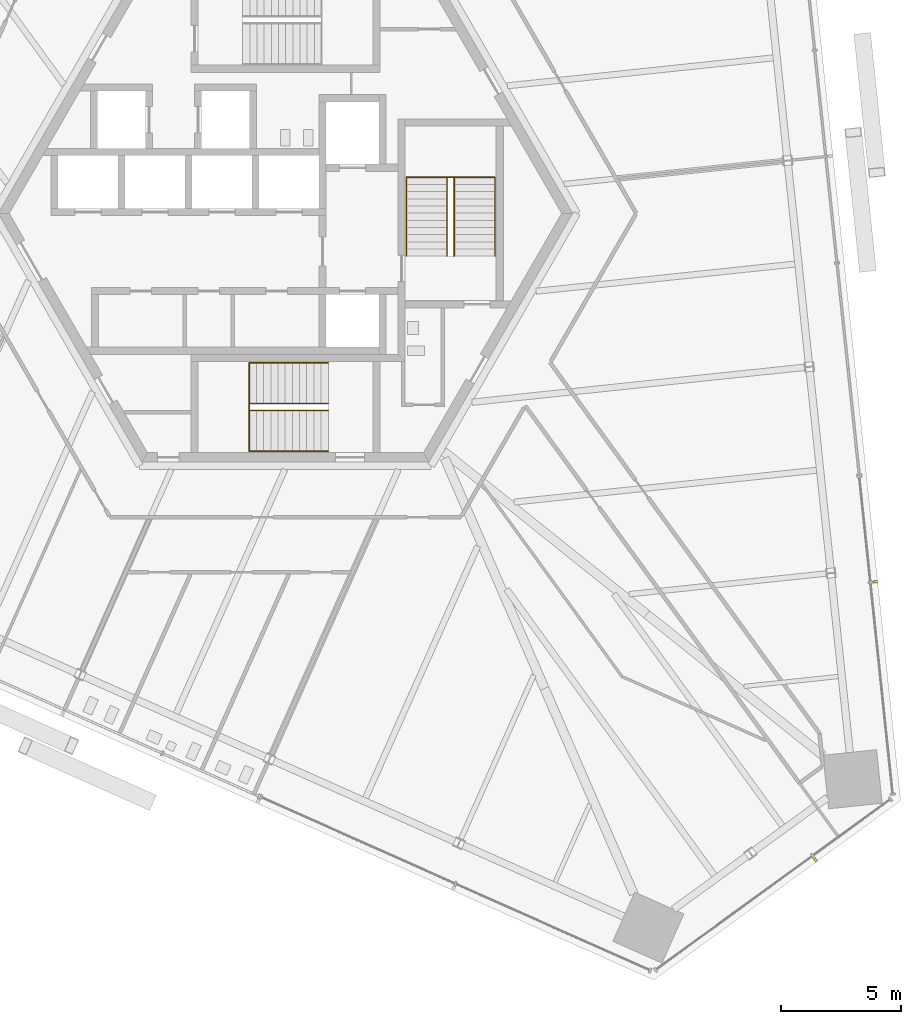
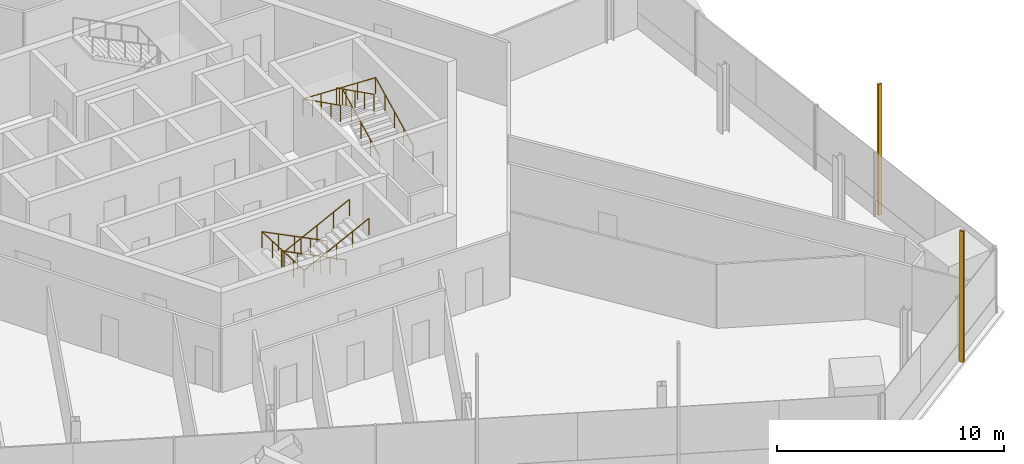
# One storey, part 16 of 21: 4 railings, 2 shading devices.
"""IFC4 building model written with IfcOpenShell, lengths in metres."""

from ifc_helpers import new_model, si_unit, direction, frame, origin, origin_2d, place, context, subcontext, project, spatial, rectangle, circle, extrude, source, transform, mapped, material, type_object, element, save


model = new_model("IFC4")

# Units and contexts
model_context = context("Model", 3, precision=1e-05, world=origin(), true_north=direction((0.0, 1.0)))
body_context = subcontext(model_context, "Body", "Model", "MODEL_VIEW")
ifc_project = project(units=[si_unit("LENGTHUNIT", "METRE"), si_unit("AREAUNIT", "SQUARE_METRE"), si_unit("VOLUMEUNIT", "CUBIC_METRE"), si_unit("PLANEANGLEUNIT", "RADIAN"), si_unit("MASSUNIT", "GRAM", prefix="KILO")], contexts=[model_context])

# Site, building, storey
site_placement = place(None, origin())
site = spatial("IfcSite", under=ifc_project, at=site_placement, CompositionType="ELEMENT")
building_placement = place(site_placement, origin())
building = spatial("IfcBuilding", under=site, at=building_placement, Name="Triune Harvest Tower", CompositionType="ELEMENT")
storey_placement = place(building_placement, frame((0.0, 0.0, 72.89990234375)))
storey = spatial("IfcBuildingStorey", under=building, at=storey_placement, Name="L17", CompositionType="ELEMENT", Elevation=72.89990234375)

# Railings
ifc_material_1 = material(Name="Stainless steel AISI 316", Category="steel")
railing_type = type_object("IfcRailingType", Name="Stair handrail", PredefinedType="HANDRAIL", material=ifc_material_1)
shared_shape_1 = source(origin(), body_context, "Body", "SweptSolid", [
    extrude(circle(Radius=0.02392578125, at=origin_2d()), frame((0.0, 0.0, 0.8759765625), z_axis=(-0.894440424912, 0.0, 0.447187126696), x_axis=(0.0, -1.0, 0.0)), (0.0, 0.0, 1.0), 3.689453125),
    extrude(circle(Radius=0.02392578125, at=origin_2d()), frame((-3.300048828125, 0.0, 2.52587890625), z_axis=(0.0, -0.999177620331, 0.040547293732), x_axis=(1.0, 0.0, 0.0)), (0.0, 0.0, 1.0), 3.702880859375),
    extrude(circle(Radius=0.02392578125, at=origin_2d()), frame((-3.300048828125, -3.699951171875, 2.67578125), z_axis=(0.894440424912, 0.0, 0.447187126696), x_axis=(0.0, 1.0, 0.0)), (0.0, 0.0, 1.0), 3.689453125),
    extrude(circle(Radius=0.02099609375, at=origin_2d()), origin(), (0.0, 0.0, 1.0), 0.851806640625),
    extrude(circle(Radius=0.02099609375, at=origin_2d()), frame((-0.824951171875, 0.0, 0.41259765625)), (0.0, 0.0, 1.0), 0.851806640625),
    extrude(circle(Radius=0.02099609375, at=origin_2d()), frame((-1.64990234375, 0.0, 0.824951171875)), (0.0, 0.0, 1.0), 0.851806640625),
    extrude(circle(Radius=0.02099609375, at=origin_2d()), frame((-2.47509765625, 0.0, 1.2373046875)), (0.0, 0.0, 1.0), 0.851806640625),
    extrude(circle(Radius=0.02099609375, at=origin_2d()), frame((-3.300048828125, 0.0, 1.64990234375)), (0.0, 0.0, 1.0), 0.851806640625),
    extrude(circle(Radius=0.02099609375, at=origin_2d()), frame((-3.300048828125, -0.925048828125, 1.6875)), (0.0, 0.0, 1.0), 0.851806640625),
    extrude(circle(Radius=0.02099609375, at=origin_2d()), frame((-3.300048828125, -1.85009765625, 1.72509765625)), (0.0, 0.0, 1.0), 0.851806640625),
    extrude(circle(Radius=0.02099609375, at=origin_2d()), frame((-3.300048828125, -2.77490234375, 1.762451171875)), (0.0, 0.0, 1.0), 0.851806640625),
    extrude(circle(Radius=0.02099609375, at=origin_2d()), frame((-3.300048828125, -3.699951171875, 1.800048828125)), (0.0, 0.0, 1.0), 0.851806640625),
    extrude(circle(Radius=0.02099609375, at=origin_2d()), frame((-2.47509765625, -3.699951171875, 2.21240234375)), (0.0, 0.0, 1.0), 0.851806640625),
    extrude(circle(Radius=0.02099609375, at=origin_2d()), frame((-1.64990234375, -3.699951171875, 2.625)), (0.0, 0.0, 1.0), 0.851806640625),
    extrude(circle(Radius=0.02099609375, at=origin_2d()), frame((-0.824951171875, -3.699951171875, 3.03759765625)), (0.0, 0.0, 1.0), 0.851806640625),
    extrude(circle(Radius=0.02099609375, at=origin_2d()), frame((0.0, -3.699951171875, 3.449951171875)), (0.0, 0.0, 1.0), 0.851806640625),
])
railing_1_placement = place(storey_placement, frame((1.7900390625, -6.239990234375, 0.150146484375)))
element("IfcRailing", 1, at=railing_1_placement, inside=storey, type_object=railing_type, Name="Exit stair south wall handrail", PredefinedType="HANDRAIL", context=body_context, shape_type="MappedRepresentation", body=[
    mapped(shared_shape_1, transform((0.0, 0.0, 0.0), scale=1.0)),
])
shared_shape_2 = source(origin(), body_context, "Body", "SweptSolid", [
    extrude(circle(Radius=0.02392578125, at=origin_2d()), frame((0.0, 0.0, 0.8759765625), z_axis=(-0.894440424912, 0.0, 0.447187126696), x_axis=(0.0, -1.0, 0.0)), (0.0, 0.0, 1.0), 3.689453125),
    extrude(circle(Radius=0.02392578125, at=origin_2d()), frame((-3.300048828125, 0.0, 2.52587890625), z_axis=(0.0, -0.894281613681, 0.447504631744), x_axis=(1.0, 0.0, 0.0)), (0.0, 0.0, 1.0), 0.33544921875),
    extrude(circle(Radius=0.02392578125, at=origin_2d()), frame((-3.300048828125, -0.300048828125, 2.67578125), z_axis=(0.894440424912, 0.0, 0.447187126696), x_axis=(0.0, 1.0, 0.0)), (0.0, 0.0, 1.0), 3.689453125),
    extrude(circle(Radius=0.02099609375, at=origin_2d()), origin(), (0.0, 0.0, 1.0), 0.851806640625),
    extrude(circle(Radius=0.02099609375, at=origin_2d()), frame((-0.824951171875, 0.0, 0.41259765625)), (0.0, 0.0, 1.0), 0.851806640625),
    extrude(circle(Radius=0.02099609375, at=origin_2d()), frame((-1.64990234375, 0.0, 0.824951171875)), (0.0, 0.0, 1.0), 0.851806640625),
    extrude(circle(Radius=0.02099609375, at=origin_2d()), frame((-2.47509765625, 0.0, 1.2373046875)), (0.0, 0.0, 1.0), 0.851806640625),
    extrude(circle(Radius=0.02099609375, at=origin_2d()), frame((-3.300048828125, 0.0, 1.64990234375)), (0.0, 0.0, 1.0), 0.851806640625),
    extrude(circle(Radius=0.02099609375, at=origin_2d()), frame((-3.300048828125, -0.300048828125, 1.800048828125)), (0.0, 0.0, 1.0), 0.851806640625),
    extrude(circle(Radius=0.02099609375, at=origin_2d()), frame((-2.47509765625, -0.300048828125, 2.21240234375)), (0.0, 0.0, 1.0), 0.851806640625),
    extrude(circle(Radius=0.02099609375, at=origin_2d()), frame((-1.64990234375, -0.300048828125, 2.625)), (0.0, 0.0, 1.0), 0.851806640625),
    extrude(circle(Radius=0.02099609375, at=origin_2d()), frame((-0.824951171875, -0.300048828125, 3.03759765625)), (0.0, 0.0, 1.0), 0.851806640625),
    extrude(circle(Radius=0.02099609375, at=origin_2d()), frame((0.0, -0.300048828125, 3.449951171875)), (0.0, 0.0, 1.0), 0.851806640625),
])
railing_2_placement = place(storey_placement, frame((1.7900390625, -7.93994140625, 0.150146484375)))
element("IfcRailing", 2, at=railing_2_placement, inside=storey, type_object=railing_type, Name="Exit stair south centre handrail", PredefinedType="HANDRAIL", context=body_context, shape_type="MappedRepresentation", body=[
    mapped(shared_shape_2, transform((0.0, 0.0, 0.0), scale=1.0)),
])
shared_shape_3 = source(origin(), body_context, "Body", "SweptSolid", [
    extrude(circle(Radius=0.02392578125, at=origin_2d()), frame((0.0, 0.0, 0.8759765625), z_axis=(0.0, 0.894440424912, 0.447187126696), x_axis=(-1.0, 0.0, 0.0)), (0.0, 0.0, 1.0), 3.689453125),
    extrude(circle(Radius=0.02392578125, at=origin_2d()), frame((0.0, 3.300048828125, 2.52587890625), z_axis=(-0.999177620331, 0.0, 0.040547293732), x_axis=(0.0, -1.0, 0.0)), (0.0, 0.0, 1.0), 3.702880859375),
    extrude(circle(Radius=0.02392578125, at=origin_2d()), frame((-3.699951171875, 3.300048828125, 2.67578125), z_axis=(0.0, -0.894440424912, 0.447187126696), x_axis=(1.0, 0.0, 0.0)), (0.0, 0.0, 1.0), 3.689453125),
    extrude(circle(Radius=0.02099609375, at=origin_2d()), origin(), (0.0, 0.0, 1.0), 0.851806640625),
    extrude(circle(Radius=0.02099609375, at=origin_2d()), frame((0.0, 0.824951171875, 0.41259765625)), (0.0, 0.0, 1.0), 0.851806640625),
    extrude(circle(Radius=0.02099609375, at=origin_2d()), frame((0.0, 1.64990234375, 0.824951171875)), (0.0, 0.0, 1.0), 0.851806640625),
    extrude(circle(Radius=0.02099609375, at=origin_2d()), frame((0.0, 2.47509765625, 1.2373046875)), (0.0, 0.0, 1.0), 0.851806640625),
    extrude(circle(Radius=0.02099609375, at=origin_2d()), frame((0.0, 3.300048828125, 1.64990234375)), (0.0, 0.0, 1.0), 0.851806640625),
    extrude(circle(Radius=0.02099609375, at=origin_2d()), frame((-0.925048828125, 3.300048828125, 1.6875)), (0.0, 0.0, 1.0), 0.851806640625),
    extrude(circle(Radius=0.02099609375, at=origin_2d()), frame((-1.85009765625, 3.300048828125, 1.72509765625)), (0.0, 0.0, 1.0), 0.851806640625),
    extrude(circle(Radius=0.02099609375, at=origin_2d()), frame((-2.77490234375, 3.300048828125, 1.762451171875)), (0.0, 0.0, 1.0), 0.851806640625),
    extrude(circle(Radius=0.02099609375, at=origin_2d()), frame((-3.699951171875, 3.300048828125, 1.800048828125)), (0.0, 0.0, 1.0), 0.851806640625),
    extrude(circle(Radius=0.02099609375, at=origin_2d()), frame((-3.699951171875, 2.47509765625, 2.21240234375)), (0.0, 0.0, 1.0), 0.851806640625),
    extrude(circle(Radius=0.02099609375, at=origin_2d()), frame((-3.699951171875, 1.64990234375, 2.625)), (0.0, 0.0, 1.0), 0.851806640625),
    extrude(circle(Radius=0.02099609375, at=origin_2d()), frame((-3.699951171875, 0.824951171875, 3.03759765625)), (0.0, 0.0, 1.0), 0.851806640625),
    extrude(circle(Radius=0.02099609375, at=origin_2d()), frame((-3.699951171875, 0.0, 3.449951171875)), (0.0, 0.0, 1.0), 0.851806640625),
])
railing_3_placement = place(storey_placement, frame((8.75, -1.7900390625, 0.150146484375)))
element("IfcRailing", 3, at=railing_3_placement, inside=storey, type_object=railing_type, Name="Exit stair east wall handrail", PredefinedType="HANDRAIL", context=body_context, shape_type="MappedRepresentation", body=[
    mapped(shared_shape_3, transform((0.0, 0.0, 0.0), scale=1.0)),
])
shared_shape_4 = source(origin(), body_context, "Body", "SweptSolid", [
    extrude(circle(Radius=0.02392578125, at=origin_2d()), frame((0.0, 0.0, 0.8759765625), z_axis=(0.0, 0.894440424912, 0.447187126696), x_axis=(-1.0, 0.0, 0.0)), (0.0, 0.0, 1.0), 3.689453125),
    extrude(circle(Radius=0.02392578125, at=origin_2d()), frame((0.0, 3.300048828125, 2.52587890625), z_axis=(-0.894281613681, 0.0, 0.447504631744), x_axis=(0.0, -1.0, 0.0)), (0.0, 0.0, 1.0), 0.33544921875),
    extrude(circle(Radius=0.02392578125, at=origin_2d()), frame((-0.300048828125, 3.300048828125, 2.67578125), z_axis=(0.0, -0.894440424912, 0.447187126696), x_axis=(1.0, 0.0, 0.0)), (0.0, 0.0, 1.0), 3.689453125),
    extrude(circle(Radius=0.02099609375, at=origin_2d()), origin(), (0.0, 0.0, 1.0), 0.851806640625),
    extrude(circle(Radius=0.02099609375, at=origin_2d()), frame((0.0, 0.824951171875, 0.41259765625)), (0.0, 0.0, 1.0), 0.851806640625),
    extrude(circle(Radius=0.02099609375, at=origin_2d()), frame((0.0, 1.64990234375, 0.824951171875)), (0.0, 0.0, 1.0), 0.851806640625),
    extrude(circle(Radius=0.02099609375, at=origin_2d()), frame((0.0, 2.47509765625, 1.2373046875)), (0.0, 0.0, 1.0), 0.851806640625),
    extrude(circle(Radius=0.02099609375, at=origin_2d()), frame((0.0, 3.300048828125, 1.64990234375)), (0.0, 0.0, 1.0), 0.851806640625),
    extrude(circle(Radius=0.02099609375, at=origin_2d()), frame((-0.300048828125, 3.300048828125, 1.800048828125)), (0.0, 0.0, 1.0), 0.851806640625),
    extrude(circle(Radius=0.02099609375, at=origin_2d()), frame((-0.300048828125, 2.47509765625, 2.21240234375)), (0.0, 0.0, 1.0), 0.851806640625),
    extrude(circle(Radius=0.02099609375, at=origin_2d()), frame((-0.300048828125, 1.64990234375, 2.625)), (0.0, 0.0, 1.0), 0.851806640625),
    extrude(circle(Radius=0.02099609375, at=origin_2d()), frame((-0.300048828125, 0.824951171875, 3.03759765625)), (0.0, 0.0, 1.0), 0.851806640625),
    extrude(circle(Radius=0.02099609375, at=origin_2d()), frame((-0.300048828125, 0.0, 3.449951171875)), (0.0, 0.0, 1.0), 0.851806640625),
])
railing_4_placement = place(storey_placement, frame((7.050048828125, -1.7900390625, 0.150146484375)))
element("IfcRailing", 4, at=railing_4_placement, inside=storey, type_object=railing_type, Name="Exit stair east centre handrail", PredefinedType="HANDRAIL", context=body_context, shape_type="MappedRepresentation", body=[
    mapped(shared_shape_4, transform((0.0, 0.0, 0.0), scale=1.0)),
])

# Shading devices
ifc_material_2 = material(Name="Aluminium bronze anodised", Category="aluminium")
shared_shape_5 = source(origin(), body_context, "Body", "SweptSolid", [
    extrude(rectangle(XDim=0.10009765625, YDim=0.199951171875, at=origin_2d()), origin(), (0.0, 0.0, 1.0), 7.0400390625),
])
for number, where, z_axis, x_axis, name in (
    (5, (24.6416015625, -15.390869140625, 0.0), (0.0, 0.0, 1.0), (-0.104527536558, 0.994521992769, 0.0), "FN-1 fin B2-F1.3 L17"),
    (6, (22.135986328125, -27.00244140625, 0.0), (0.0, 0.0, 1.0), (0.809013235692, 0.58779042564, 0.0), "FN-1 fin B2-F6.3 L17"),
):
    element("IfcShadingDevice", number, at=place(storey_placement, frame(where, z_axis=z_axis, x_axis=x_axis)), inside=storey, material=ifc_material_2, Name=name, ObjectType="FIN", PredefinedType="USERDEFINED", context=body_context, shape_type="MappedRepresentation", body=[
        mapped(shared_shape_5, transform((0.0, 0.0, 0.0), scale=1.0)),
    ])

save(model, "model.ifc")
